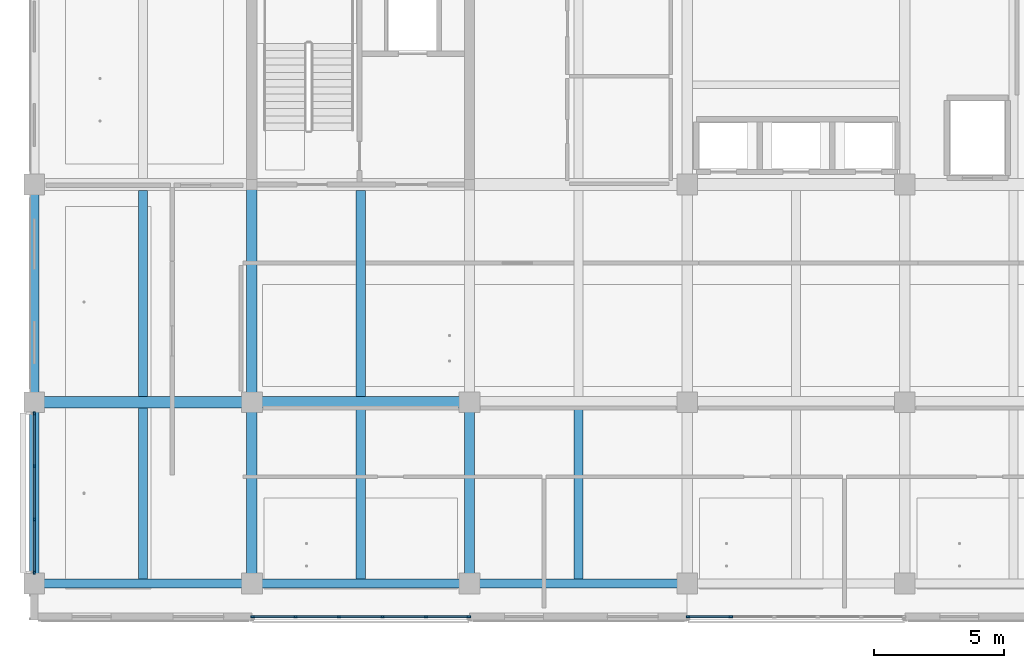
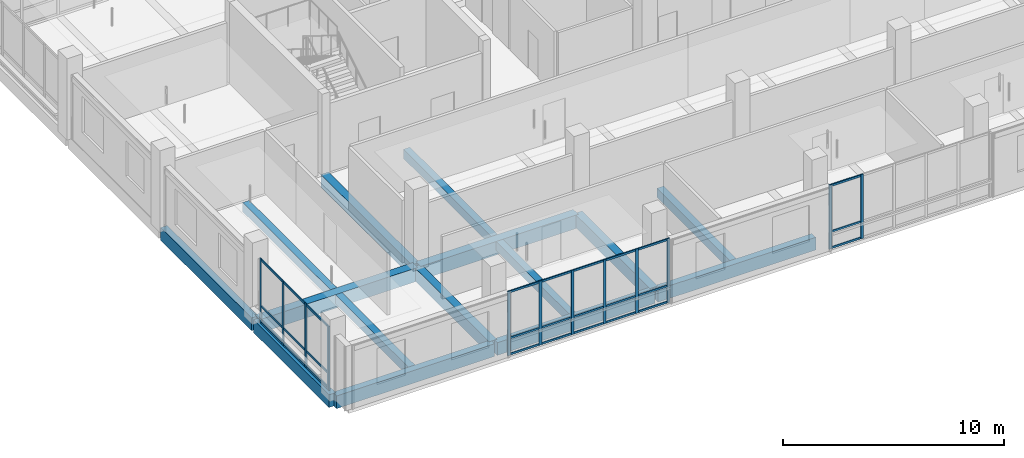
# One storey, part 2 of 34: 39 members, 15 beams, 3 elements without a shape of their own.
"""IFC4 building model written with IfcOpenShell, lengths in metres."""

from ifc_helpers import new_model, si_unit, direction, frame, origin, origin_2d, place, context, subcontext, project, spatial, rectangle, extrude, material, layer, layer_set, material_profile, profile_set, type_object, element, aggregate, save


model = new_model("IFC4")

# Units and contexts
model_context = context("Model", 3, precision=1e-05, world=origin(), true_north=direction((0.0, 1.0)))
body_context = subcontext(model_context, "Body", "Model", "MODEL_VIEW")
ifc_project = project(units=[si_unit("LENGTHUNIT", "METRE"), si_unit("AREAUNIT", "SQUARE_METRE"), si_unit("VOLUMEUNIT", "CUBIC_METRE"), si_unit("PLANEANGLEUNIT", "RADIAN"), si_unit("MASSUNIT", "GRAM", prefix="KILO")], contexts=[model_context])

# Site, building, storey
site_placement = place(None, origin())
site = spatial("IfcSite", under=ifc_project, at=site_placement, CompositionType="ELEMENT")
building_placement = place(site_placement, origin())
building = spatial("IfcBuilding", under=site, at=building_placement, Name="Telukmera Botanical Conservatory", CompositionType="ELEMENT")
storey_placement = place(building_placement, frame((0.0, 0.0, 37.5)))
storey = spatial("IfcBuildingStorey", under=building, at=storey_placement, Name="L08", CompositionType="ELEMENT", Elevation=37.5)

# Beams
ifc_material_1 = material(Name="Concrete C40/50", Category="concrete")
ifc_material_profile_1 = material_profile(ifc_material_1, rectangle(XDim=0.35009765625, YDim=0.5, at=origin_2d()), Name="RC 350x500")
ifc_profile_set_1 = profile_set([ifc_material_profile_1], Name="Concrete C40/50")
beam_type_1 = type_object("IfcBeamType", Name="Beam_B22", PredefinedType="JOIST", material=ifc_profile_set_1)
beam_1_placement = place(storey_placement, frame((54.60009765625, 10.77490234375, -0.25), z_axis=(0.0, 1.0, 0.0), x_axis=(-1.0, 0.0, 0.0)))
element("IfcBeam", 1, at=beam_1_placement, inside=storey, type_object=beam_type_1, Name="Tower Secondary Floor Joist L08", PredefinedType="JOIST", context=body_context, shape_type="SweptSolid", body=[
    extrude(rectangle(XDim=0.35009765625, YDim=0.5, at=origin_2d()), origin(), (0.0, 0.0, 1.0), 6.60009765625),
])
beam_2_placement = place(storey_placement, frame((54.60009765625, 17.824951171875, -0.25), z_axis=(0.0, 1.0, 0.0), x_axis=(-1.0, 0.0, 0.0)))
element("IfcBeam", 2, at=beam_2_placement, inside=storey, type_object=beam_type_1, Name="Tower Secondary Floor Joist L08", PredefinedType="JOIST", context=body_context, shape_type="SweptSolid", body=[
    extrude(rectangle(XDim=0.35009765625, YDim=0.5, at=origin_2d()), origin(), (0.0, 0.0, 1.0), 7.949951171875),
])
beam_3_placement = place(storey_placement, frame((63.0, 10.77490234375, -0.25), z_axis=(0.0, 1.0, 0.0), x_axis=(-1.0, 0.0, 0.0)))
element("IfcBeam", 3, at=beam_3_placement, inside=storey, type_object=beam_type_1, Name="Tower Secondary Floor Joist L08", PredefinedType="JOIST", context=body_context, shape_type="SweptSolid", body=[
    extrude(rectangle(XDim=0.35009765625, YDim=0.5, at=origin_2d()), origin(), (0.0, 0.0, 1.0), 6.60009765625),
])
beam_4_placement = place(storey_placement, frame((63.0, 17.824951171875, -0.25), z_axis=(0.0, 1.0, 0.0), x_axis=(-1.0, 0.0, 0.0)))
element("IfcBeam", 4, at=beam_4_placement, inside=storey, type_object=beam_type_1, Name="Tower Secondary Floor Joist L08", PredefinedType="JOIST", context=body_context, shape_type="SweptSolid", body=[
    extrude(rectangle(XDim=0.35009765625, YDim=0.5, at=origin_2d()), origin(), (0.0, 0.0, 1.0), 7.949951171875),
])
beam_5_placement = place(storey_placement, frame((71.39990234375, 10.77490234375, -0.25), z_axis=(0.0, 1.0, 0.0), x_axis=(-1.0, 0.0, 0.0)))
element("IfcBeam", 5, at=beam_5_placement, inside=storey, type_object=beam_type_1, Name="Tower Secondary Floor Joist L08", PredefinedType="JOIST", context=body_context, shape_type="SweptSolid", body=[
    extrude(rectangle(XDim=0.35009765625, YDim=0.5, at=origin_2d()), origin(), (0.0, 0.0, 1.0), 6.60009765625),
])
ifc_material_profile_2 = material_profile(ifc_material_1, rectangle(XDim=0.449951171875, YDim=0.75, at=origin_2d()), Name="RC 450x750")
ifc_profile_set_2 = profile_set([ifc_material_profile_2], Name="Concrete C40/50")
beam_type_2 = type_object("IfcBeamType", Name="Beam_B6", PredefinedType="BEAM", material=ifc_profile_set_2)
beam_6_placement = place(storey_placement, frame((50.47998046875, 17.60009765625, -0.375), z_axis=(1.0, 0.0, 0.0), x_axis=(0.0, 1.0, 0.0)))
element("IfcBeam", 6, at=beam_6_placement, inside=storey, type_object=beam_type_2, Name="Tower Grid Beam L08", PredefinedType="BEAM", context=body_context, shape_type="SweptSolid", body=[
    extrude(rectangle(XDim=0.449951171875, YDim=0.75, at=origin_2d()), origin(), (0.0, 0.0, 1.0), 8.239990234375),
])
beam_7_placement = place(storey_placement, frame((58.8798828125, 17.60009765625, -0.375), z_axis=(1.0, 0.0, 0.0), x_axis=(0.0, 1.0, 0.0)))
element("IfcBeam", 7, at=beam_7_placement, inside=storey, type_object=beam_type_2, Name="Tower Grid Beam L08", PredefinedType="BEAM", context=body_context, shape_type="SweptSolid", body=[
    extrude(rectangle(XDim=0.449951171875, YDim=0.75, at=origin_2d()), origin(), (0.0, 0.0, 1.0), 8.240234375),
])
ifc_material_profile_3 = material_profile(ifc_material_1, rectangle(XDim=0.39990234375, YDim=0.699951171875, at=origin_2d()), Name="RC 400x700")
ifc_profile_set_3 = profile_set([ifc_material_profile_3], Name="Concrete C40/50")
beam_type_3 = type_object("IfcBeamType", Name="Beam_B7", PredefinedType="BEAM", material=ifc_profile_set_3)
beam_8_placement = place(storey_placement, frame((58.800048828125, 10.679931640625, -0.35009765625), z_axis=(0.0, 1.0, 0.0), x_axis=(-1.0, 0.0, 0.0)))
element("IfcBeam", 8, at=beam_8_placement, inside=storey, type_object=beam_type_3, Name="Tower Transverse Beam L08", PredefinedType="BEAM", context=body_context, shape_type="SweptSolid", body=[
    extrude(rectangle(XDim=0.39990234375, YDim=0.699951171875, at=origin_2d()), origin(), (0.0, 0.0, 1.0), 6.840087890625),
])
beam_9_placement = place(storey_placement, frame((58.800048828125, 17.679931640625, -0.35009765625), z_axis=(0.0, 1.0, 0.0), x_axis=(-1.0, 0.0, 0.0)))
element("IfcBeam", 9, at=beam_9_placement, inside=storey, type_object=beam_type_3, Name="Tower Transverse Beam L08", PredefinedType="BEAM", context=body_context, shape_type="SweptSolid", body=[
    extrude(rectangle(XDim=0.39990234375, YDim=0.699951171875, at=origin_2d()), origin(), (0.0, 0.0, 1.0), 8.239990234375),
])
beam_10_placement = place(storey_placement, frame((67.199951171875, 10.679931640625, -0.35009765625), z_axis=(0.0, 1.0, 0.0), x_axis=(-1.0, 0.0, 0.0)))
element("IfcBeam", 10, at=beam_10_placement, inside=storey, type_object=beam_type_3, Name="Tower Transverse Beam L08", PredefinedType="BEAM", context=body_context, shape_type="SweptSolid", body=[
    extrude(rectangle(XDim=0.39990234375, YDim=0.699951171875, at=origin_2d()), origin(), (0.0, 0.0, 1.0), 6.840087890625),
])
ifc_material_2 = material(Name="Precast concrete C40/50", Category="concrete")
ifc_material_profile_4 = material_profile(ifc_material_2, rectangle(XDim=0.35009765625, YDim=0.699951171875, at=origin_2d()), Name="PC 350x700")
ifc_profile_set_4 = profile_set([ifc_material_profile_4], Name="Precast concrete C40/50")
beam_type_4 = type_object("IfcBeamType", Name="Beam_SP2", PredefinedType="SPANDREL", material=ifc_profile_set_4)
beam_11_placement = place(storey_placement, frame((50.47998046875, 10.60009765625, -0.35009765625), z_axis=(1.0, 0.0, 0.0), x_axis=(0.0, 1.0, 0.0)))
element("IfcBeam", 11, at=beam_11_placement, inside=storey, type_object=beam_type_4, Name="Tower Grid Beam L08", PredefinedType="SPANDREL", context=body_context, shape_type="SweptSolid", body=[
    extrude(rectangle(XDim=0.35009765625, YDim=0.699951171875, at=origin_2d()), origin(), (0.0, 0.0, 1.0), 8.239990234375),
])
beam_12_placement = place(storey_placement, frame((58.8798828125, 10.60009765625, -0.35009765625), z_axis=(1.0, 0.0, 0.0), x_axis=(0.0, 1.0, 0.0)))
element("IfcBeam", 12, at=beam_12_placement, inside=storey, type_object=beam_type_4, Name="Tower Grid Beam L08", PredefinedType="SPANDREL", context=body_context, shape_type="SweptSolid", body=[
    extrude(rectangle(XDim=0.35009765625, YDim=0.699951171875, at=origin_2d()), origin(), (0.0, 0.0, 1.0), 8.240234375),
])
beam_13_placement = place(storey_placement, frame((67.280029296875, 10.60009765625, -0.35009765625), z_axis=(1.0, 0.0, 0.0), x_axis=(0.0, 1.0, 0.0)))
element("IfcBeam", 13, at=beam_13_placement, inside=storey, type_object=beam_type_4, Name="Tower Grid Beam L08", PredefinedType="SPANDREL", context=body_context, shape_type="SweptSolid", body=[
    extrude(rectangle(XDim=0.35009765625, YDim=0.699951171875, at=origin_2d()), origin(), (0.0, 0.0, 1.0), 8.239990234375),
])
beam_14_placement = place(storey_placement, frame((50.39990234375, 10.679931640625, -0.35009765625), z_axis=(0.0, 1.0, 0.0), x_axis=(-1.0, 0.0, 0.0)))
element("IfcBeam", 14, at=beam_14_placement, inside=storey, type_object=beam_type_4, Name="Tower Transverse Beam L08", PredefinedType="SPANDREL", context=body_context, shape_type="SweptSolid", body=[
    extrude(rectangle(XDim=0.35009765625, YDim=0.699951171875, at=origin_2d()), origin(), (0.0, 0.0, 1.0), 6.840087890625),
])
beam_15_placement = place(storey_placement, frame((50.39990234375, 17.679931640625, -0.35009765625), z_axis=(0.0, 1.0, 0.0), x_axis=(-1.0, 0.0, 0.0)))
element("IfcBeam", 15, at=beam_15_placement, inside=storey, type_object=beam_type_4, Name="Tower Transverse Beam L08", PredefinedType="SPANDREL", context=body_context, shape_type="SweptSolid", body=[
    extrude(rectangle(XDim=0.35009765625, YDim=0.699951171875, at=origin_2d()), origin(), (0.0, 0.0, 1.0), 8.239990234375),
])

# Curtain wall, members
ifc_material_3 = material(Name="Anodised aluminium 6063-T6", Category="aluminium")
ifc_layer = layer(ifc_material_3, 0.179931640625)
ifc_layer_set = layer_set([ifc_layer], Name="Anodised aluminium 6063-T6")
curtain_wall_type = type_object("IfcCurtainWallType", Name="Tower Research Laboratory Unitised Curtain Wall", PredefinedType="USERDEFINED", material=ifc_layer_set)
curtain_wall_1_placement = place(storey_placement, origin())
curtain_wall_1 = element("IfcCurtainWall", 16, at=curtain_wall_1_placement, inside=storey, type_object=curtain_wall_type, Name="Unitised Curtain Wall CW15 V4:L08:S2", ObjectType="UNITISED CURTAIN WALL", PredefinedType="USERDEFINED")
ifc_material_profile_5 = material_profile(ifc_material_3, rectangle(XDim=0.06005859375, YDim=0.139892578125, at=origin_2d()), Name="ALU MULL 60x140")
ifc_profile_set_5 = profile_set([ifc_material_profile_5], Name="Anodised aluminium 6063-T6")
member_type_1 = type_object("IfcMemberType", Name="Curtain Wall Extruded Mullion 60x140", PredefinedType="MULLION", material=ifc_profile_set_5)
member_1_placement = place(storey_placement, frame((58.83203125, 9.320068359375, 0.0), z_axis=(0.0, 0.0, 1.0), x_axis=(0.0, 1.0, 0.0)))
member_1 = element("IfcMember", 17, at=member_1_placement, type_object=member_type_1, Name="CW15 mullion 1", PredefinedType="MULLION", context=body_context, shape_type="SweptSolid", body=[
    extrude(rectangle(XDim=0.06005859375, YDim=0.139892578125, at=origin_2d()), origin(), (0.0, 0.0, 1.0), 3.550048828125),
])
member_2_placement = place(storey_placement, frame((60.481201171875, 9.320068359375, 0.0), z_axis=(0.0, 0.0, 1.0), x_axis=(0.0, 1.0, 0.0)))
member_2 = element("IfcMember", 18, at=member_2_placement, type_object=member_type_1, Name="CW15 mullion 2", PredefinedType="MULLION", context=body_context, shape_type="SweptSolid", body=[
    extrude(rectangle(XDim=0.06005859375, YDim=0.139892578125, at=origin_2d()), origin(), (0.0, 0.0, 1.0), 3.550048828125),
])
member_3_placement = place(storey_placement, frame((62.160400390625, 9.320068359375, 0.0), z_axis=(0.0, 0.0, 1.0), x_axis=(0.0, 1.0, 0.0)))
member_3 = element("IfcMember", 19, at=member_3_placement, type_object=member_type_1, Name="CW15 mullion 3", PredefinedType="MULLION", context=body_context, shape_type="SweptSolid", body=[
    extrude(rectangle(XDim=0.06005859375, YDim=0.139892578125, at=origin_2d()), origin(), (0.0, 0.0, 1.0), 3.550048828125),
])
member_4_placement = place(storey_placement, frame((63.839599609375, 9.320068359375, 0.0), z_axis=(0.0, 0.0, 1.0), x_axis=(0.0, 1.0, 0.0)))
member_4 = element("IfcMember", 20, at=member_4_placement, type_object=member_type_1, Name="CW15 mullion 4", PredefinedType="MULLION", context=body_context, shape_type="SweptSolid", body=[
    extrude(rectangle(XDim=0.06005859375, YDim=0.139892578125, at=origin_2d()), origin(), (0.0, 0.0, 1.0), 3.550048828125),
])
member_5_placement = place(storey_placement, frame((65.518798828125, 9.320068359375, 0.0), z_axis=(0.0, 0.0, 1.0), x_axis=(0.0, 1.0, 0.0)))
member_5 = element("IfcMember", 21, at=member_5_placement, type_object=member_type_1, Name="CW15 mullion 5", PredefinedType="MULLION", context=body_context, shape_type="SweptSolid", body=[
    extrude(rectangle(XDim=0.06005859375, YDim=0.139892578125, at=origin_2d()), origin(), (0.0, 0.0, 1.0), 3.550048828125),
])
member_6_placement = place(storey_placement, frame((67.16796875, 9.320068359375, 0.0), z_axis=(0.0, 0.0, 1.0), x_axis=(0.0, 1.0, 0.0)))
member_6 = element("IfcMember", 22, at=member_6_placement, type_object=member_type_1, Name="CW15 mullion 6", PredefinedType="MULLION", context=body_context, shape_type="SweptSolid", body=[
    extrude(rectangle(XDim=0.06005859375, YDim=0.139892578125, at=origin_2d()), origin(), (0.0, 0.0, 1.0), 3.550048828125),
])

curtain_wall_2_placement = place(storey_placement, origin())
curtain_wall_2 = element("IfcCurtainWall", 23, at=curtain_wall_2_placement, inside=storey, type_object=curtain_wall_type, Name="Unitised Curtain Wall CW15 V4:L08:S4", ObjectType="UNITISED CURTAIN WALL", PredefinedType="USERDEFINED")
member_7_placement = place(storey_placement, frame((75.632080078125, 9.320068359375, 0.0), z_axis=(0.0, 0.0, 1.0), x_axis=(0.0, 1.0, 0.0)))
member_7 = element("IfcMember", 24, at=member_7_placement, type_object=member_type_1, Name="CW15 mullion 1", PredefinedType="MULLION", context=body_context, shape_type="SweptSolid", body=[
    extrude(rectangle(XDim=0.06005859375, YDim=0.139892578125, at=origin_2d()), origin(), (0.0, 0.0, 1.0), 3.550048828125),
])
member_8_placement = place(storey_placement, frame((77.28125, 9.320068359375, 0.0), z_axis=(0.0, 0.0, 1.0), x_axis=(0.0, 1.0, 0.0)))
member_8 = element("IfcMember", 25, at=member_8_placement, type_object=member_type_1, Name="CW15 mullion 2", PredefinedType="MULLION", context=body_context, shape_type="SweptSolid", body=[
    extrude(rectangle(XDim=0.06005859375, YDim=0.139892578125, at=origin_2d()), origin(), (0.0, 0.0, 1.0), 3.550048828125),
])

curtain_wall_3_placement = place(storey_placement, origin())
curtain_wall_3 = element("IfcCurtainWall", 26, at=curtain_wall_3_placement, inside=storey, type_object=curtain_wall_type, Name="Unitised Curtain Wall CW15 V4:L08:W1", ObjectType="UNITISED CURTAIN WALL", PredefinedType="USERDEFINED")
member_9_placement = place(storey_placement, frame((50.39990234375, 11.031982421875, 0.0), z_axis=(0.0, 0.0, 1.0), x_axis=(-1.0, 0.0, 0.0)))
member_9 = element("IfcMember", 27, at=member_9_placement, type_object=member_type_1, Name="CW15 mullion 1", PredefinedType="MULLION", context=body_context, shape_type="SweptSolid", body=[
    extrude(rectangle(XDim=0.06005859375, YDim=0.139892578125, at=origin_2d()), origin(), (0.0, 0.0, 1.0), 3.550048828125),
])
member_10_placement = place(storey_placement, frame((50.39990234375, 13.0673828125, 0.0), z_axis=(0.0, 0.0, 1.0), x_axis=(-1.0, 0.0, 0.0)))
member_10 = element("IfcMember", 28, at=member_10_placement, type_object=member_type_1, Name="CW15 mullion 2", PredefinedType="MULLION", context=body_context, shape_type="SweptSolid", body=[
    extrude(rectangle(XDim=0.06005859375, YDim=0.139892578125, at=origin_2d()), origin(), (0.0, 0.0, 1.0), 3.550048828125),
])
member_11_placement = place(storey_placement, frame((50.39990234375, 15.132568359375, 0.0), z_axis=(0.0, 0.0, 1.0), x_axis=(-1.0, 0.0, 0.0)))
member_11 = element("IfcMember", 29, at=member_11_placement, type_object=member_type_1, Name="CW15 mullion 3", PredefinedType="MULLION", context=body_context, shape_type="SweptSolid", body=[
    extrude(rectangle(XDim=0.06005859375, YDim=0.139892578125, at=origin_2d()), origin(), (0.0, 0.0, 1.0), 3.550048828125),
])
member_12_placement = place(storey_placement, frame((50.39990234375, 17.16796875, 0.0), z_axis=(0.0, 0.0, 1.0), x_axis=(-1.0, 0.0, 0.0)))
member_12 = element("IfcMember", 30, at=member_12_placement, type_object=member_type_1, Name="CW15 mullion 4", PredefinedType="MULLION", context=body_context, shape_type="SweptSolid", body=[
    extrude(rectangle(XDim=0.06005859375, YDim=0.139892578125, at=origin_2d()), origin(), (0.0, 0.0, 1.0), 3.550048828125),
])

# Member
ifc_material_profile_6 = material_profile(ifc_material_3, rectangle(XDim=0.06005859375, YDim=0.110107421875, at=origin_2d()), Name="ALU TRAN 60x110")
ifc_profile_set_6 = profile_set([ifc_material_profile_6], Name="Anodised aluminium 6063-T6")
member_type_2 = type_object("IfcMemberType", Name="Curtain Wall Extruded Transom 60x110", PredefinedType="USERDEFINED", material=ifc_profile_set_6)
member_13_placement = place(storey_placement, frame((58.862060546875, 9.320068359375, 0.054931640625), z_axis=(1.0, 0.0, 0.0), x_axis=(0.0, 1.0, 0.0)))
member_13 = element("IfcMember", 31, at=member_13_placement, type_object=member_type_2, Name="CW15 transom 1.1", ObjectType="TRANSOM", PredefinedType="USERDEFINED", context=body_context, shape_type="SweptSolid", body=[
    extrude(rectangle(XDim=0.06005859375, YDim=0.110107421875, at=origin_2d()), origin(), (0.0, 0.0, 1.0), 1.589111328125),
])

member_14_placement = place(storey_placement, frame((58.862060546875, 9.320068359375, 0.949951171875), z_axis=(1.0, 0.0, 0.0), x_axis=(0.0, 1.0, 0.0)))
member_14 = element("IfcMember", 32, at=member_14_placement, type_object=member_type_2, Name="CW15 transom 1.2", ObjectType="TRANSOM", PredefinedType="USERDEFINED", context=body_context, shape_type="SweptSolid", body=[
    extrude(rectangle(XDim=0.06005859375, YDim=0.110107421875, at=origin_2d()), origin(), (0.0, 0.0, 1.0), 1.589111328125),
])

member_15_placement = place(storey_placement, frame((58.862060546875, 9.320068359375, 3.4951171875), z_axis=(1.0, 0.0, 0.0), x_axis=(0.0, 1.0, 0.0)))
member_15 = element("IfcMember", 33, at=member_15_placement, type_object=member_type_2, Name="CW15 transom 1.3", ObjectType="TRANSOM", PredefinedType="USERDEFINED", context=body_context, shape_type="SweptSolid", body=[
    extrude(rectangle(XDim=0.06005859375, YDim=0.110107421875, at=origin_2d()), origin(), (0.0, 0.0, 1.0), 1.589111328125),
])

member_16_placement = place(storey_placement, frame((60.51123046875, 9.320068359375, 0.054931640625), z_axis=(1.0, 0.0, 0.0), x_axis=(0.0, 1.0, 0.0)))
member_16 = element("IfcMember", 34, at=member_16_placement, type_object=member_type_2, Name="CW15 transom 2.1", ObjectType="TRANSOM", PredefinedType="USERDEFINED", context=body_context, shape_type="SweptSolid", body=[
    extrude(rectangle(XDim=0.06005859375, YDim=0.110107421875, at=origin_2d()), origin(), (0.0, 0.0, 1.0), 1.619140625),
])

member_17_placement = place(storey_placement, frame((60.51123046875, 9.320068359375, 0.949951171875), z_axis=(1.0, 0.0, 0.0), x_axis=(0.0, 1.0, 0.0)))
member_17 = element("IfcMember", 35, at=member_17_placement, type_object=member_type_2, Name="CW15 transom 2.2", ObjectType="TRANSOM", PredefinedType="USERDEFINED", context=body_context, shape_type="SweptSolid", body=[
    extrude(rectangle(XDim=0.06005859375, YDim=0.110107421875, at=origin_2d()), origin(), (0.0, 0.0, 1.0), 1.619140625),
])

member_18_placement = place(storey_placement, frame((60.51123046875, 9.320068359375, 3.4951171875), z_axis=(1.0, 0.0, 0.0), x_axis=(0.0, 1.0, 0.0)))
member_18 = element("IfcMember", 36, at=member_18_placement, type_object=member_type_2, Name="CW15 transom 2.3", ObjectType="TRANSOM", PredefinedType="USERDEFINED", context=body_context, shape_type="SweptSolid", body=[
    extrude(rectangle(XDim=0.06005859375, YDim=0.110107421875, at=origin_2d()), origin(), (0.0, 0.0, 1.0), 1.619140625),
])

member_19_placement = place(storey_placement, frame((62.1904296875, 9.320068359375, 0.054931640625), z_axis=(1.0, 0.0, 0.0), x_axis=(0.0, 1.0, 0.0)))
member_19 = element("IfcMember", 37, at=member_19_placement, type_object=member_type_2, Name="CW15 transom 3.1", ObjectType="TRANSOM", PredefinedType="USERDEFINED", context=body_context, shape_type="SweptSolid", body=[
    extrude(rectangle(XDim=0.06005859375, YDim=0.110107421875, at=origin_2d()), origin(), (0.0, 0.0, 1.0), 1.619140625),
])

member_20_placement = place(storey_placement, frame((62.1904296875, 9.320068359375, 0.949951171875), z_axis=(1.0, 0.0, 0.0), x_axis=(0.0, 1.0, 0.0)))
member_20 = element("IfcMember", 38, at=member_20_placement, type_object=member_type_2, Name="CW15 transom 3.2", ObjectType="TRANSOM", PredefinedType="USERDEFINED", context=body_context, shape_type="SweptSolid", body=[
    extrude(rectangle(XDim=0.06005859375, YDim=0.110107421875, at=origin_2d()), origin(), (0.0, 0.0, 1.0), 1.619140625),
])

member_21_placement = place(storey_placement, frame((62.1904296875, 9.320068359375, 3.4951171875), z_axis=(1.0, 0.0, 0.0), x_axis=(0.0, 1.0, 0.0)))
member_21 = element("IfcMember", 39, at=member_21_placement, type_object=member_type_2, Name="CW15 transom 3.3", ObjectType="TRANSOM", PredefinedType="USERDEFINED", context=body_context, shape_type="SweptSolid", body=[
    extrude(rectangle(XDim=0.06005859375, YDim=0.110107421875, at=origin_2d()), origin(), (0.0, 0.0, 1.0), 1.619140625),
])

member_22_placement = place(storey_placement, frame((63.86962890625, 9.320068359375, 0.054931640625), z_axis=(1.0, 0.0, 0.0), x_axis=(0.0, 1.0, 0.0)))
member_22 = element("IfcMember", 40, at=member_22_placement, type_object=member_type_2, Name="CW15 transom 4.1", ObjectType="TRANSOM", PredefinedType="USERDEFINED", context=body_context, shape_type="SweptSolid", body=[
    extrude(rectangle(XDim=0.06005859375, YDim=0.110107421875, at=origin_2d()), origin(), (0.0, 0.0, 1.0), 1.619140625),
])

member_23_placement = place(storey_placement, frame((63.86962890625, 9.320068359375, 0.949951171875), z_axis=(1.0, 0.0, 0.0), x_axis=(0.0, 1.0, 0.0)))
member_23 = element("IfcMember", 41, at=member_23_placement, type_object=member_type_2, Name="CW15 transom 4.2", ObjectType="TRANSOM", PredefinedType="USERDEFINED", context=body_context, shape_type="SweptSolid", body=[
    extrude(rectangle(XDim=0.06005859375, YDim=0.110107421875, at=origin_2d()), origin(), (0.0, 0.0, 1.0), 1.619140625),
])

member_24_placement = place(storey_placement, frame((63.86962890625, 9.320068359375, 3.4951171875), z_axis=(1.0, 0.0, 0.0), x_axis=(0.0, 1.0, 0.0)))
member_24 = element("IfcMember", 42, at=member_24_placement, type_object=member_type_2, Name="CW15 transom 4.3", ObjectType="TRANSOM", PredefinedType="USERDEFINED", context=body_context, shape_type="SweptSolid", body=[
    extrude(rectangle(XDim=0.06005859375, YDim=0.110107421875, at=origin_2d()), origin(), (0.0, 0.0, 1.0), 1.619140625),
])

member_25_placement = place(storey_placement, frame((65.548828125, 9.320068359375, 0.054931640625), z_axis=(1.0, 0.0, 0.0), x_axis=(0.0, 1.0, 0.0)))
member_25 = element("IfcMember", 43, at=member_25_placement, type_object=member_type_2, Name="CW15 transom 5.1", ObjectType="TRANSOM", PredefinedType="USERDEFINED", context=body_context, shape_type="SweptSolid", body=[
    extrude(rectangle(XDim=0.06005859375, YDim=0.110107421875, at=origin_2d()), origin(), (0.0, 0.0, 1.0), 1.589111328125),
])

member_26_placement = place(storey_placement, frame((65.548828125, 9.320068359375, 0.949951171875), z_axis=(1.0, 0.0, 0.0), x_axis=(0.0, 1.0, 0.0)))
member_26 = element("IfcMember", 44, at=member_26_placement, type_object=member_type_2, Name="CW15 transom 5.2", ObjectType="TRANSOM", PredefinedType="USERDEFINED", context=body_context, shape_type="SweptSolid", body=[
    extrude(rectangle(XDim=0.06005859375, YDim=0.110107421875, at=origin_2d()), origin(), (0.0, 0.0, 1.0), 1.589111328125),
])

member_27_placement = place(storey_placement, frame((65.548828125, 9.320068359375, 3.4951171875), z_axis=(1.0, 0.0, 0.0), x_axis=(0.0, 1.0, 0.0)))
member_27 = element("IfcMember", 45, at=member_27_placement, type_object=member_type_2, Name="CW15 transom 5.3", ObjectType="TRANSOM", PredefinedType="USERDEFINED", context=body_context, shape_type="SweptSolid", body=[
    extrude(rectangle(XDim=0.06005859375, YDim=0.110107421875, at=origin_2d()), origin(), (0.0, 0.0, 1.0), 1.589111328125),
])

aggregate(curtain_wall_1, [member_1, member_2, member_3, member_4, member_5, member_6, member_13, member_14, member_15, member_16, member_17, member_18, member_19, member_20, member_21, member_22, member_23, member_24, member_25, member_26, member_27])

member_28_placement = place(storey_placement, frame((75.662109375, 9.320068359375, 0.054931640625), z_axis=(1.0, 0.0, 0.0), x_axis=(0.0, 1.0, 0.0)))
member_28 = element("IfcMember", 46, at=member_28_placement, type_object=member_type_2, Name="CW15 transom 1.1", ObjectType="TRANSOM", PredefinedType="USERDEFINED", context=body_context, shape_type="SweptSolid", body=[
    extrude(rectangle(XDim=0.06005859375, YDim=0.110107421875, at=origin_2d()), origin(), (0.0, 0.0, 1.0), 1.589111328125),
])

member_29_placement = place(storey_placement, frame((75.662109375, 9.320068359375, 0.949951171875), z_axis=(1.0, 0.0, 0.0), x_axis=(0.0, 1.0, 0.0)))
member_29 = element("IfcMember", 47, at=member_29_placement, type_object=member_type_2, Name="CW15 transom 1.2", ObjectType="TRANSOM", PredefinedType="USERDEFINED", context=body_context, shape_type="SweptSolid", body=[
    extrude(rectangle(XDim=0.06005859375, YDim=0.110107421875, at=origin_2d()), origin(), (0.0, 0.0, 1.0), 1.589111328125),
])

member_30_placement = place(storey_placement, frame((75.662109375, 9.320068359375, 3.4951171875), z_axis=(1.0, 0.0, 0.0), x_axis=(0.0, 1.0, 0.0)))
member_30 = element("IfcMember", 48, at=member_30_placement, type_object=member_type_2, Name="CW15 transom 1.3", ObjectType="TRANSOM", PredefinedType="USERDEFINED", context=body_context, shape_type="SweptSolid", body=[
    extrude(rectangle(XDim=0.06005859375, YDim=0.110107421875, at=origin_2d()), origin(), (0.0, 0.0, 1.0), 1.589111328125),
])

aggregate(curtain_wall_2, [member_7, member_8, member_28, member_29, member_30])

member_31_placement = place(storey_placement, frame((50.39990234375, 11.06201171875, 0.054931640625), z_axis=(0.0, 1.0, 0.0), x_axis=(-1.0, 0.0, 0.0)))
member_31 = element("IfcMember", 49, at=member_31_placement, type_object=member_type_2, Name="CW15 transom 1.1", ObjectType="TRANSOM", PredefinedType="USERDEFINED", context=body_context, shape_type="SweptSolid", body=[
    extrude(rectangle(XDim=0.06005859375, YDim=0.110107421875, at=origin_2d()), origin(), (0.0, 0.0, 1.0), 1.975341796875),
])

member_32_placement = place(storey_placement, frame((50.39990234375, 11.06201171875, 0.949951171875), z_axis=(0.0, 1.0, 0.0), x_axis=(-1.0, 0.0, 0.0)))
member_32 = element("IfcMember", 50, at=member_32_placement, type_object=member_type_2, Name="CW15 transom 1.2", ObjectType="TRANSOM", PredefinedType="USERDEFINED", context=body_context, shape_type="SweptSolid", body=[
    extrude(rectangle(XDim=0.06005859375, YDim=0.110107421875, at=origin_2d()), origin(), (0.0, 0.0, 1.0), 1.975341796875),
])

member_33_placement = place(storey_placement, frame((50.39990234375, 11.06201171875, 3.4951171875), z_axis=(0.0, 1.0, 0.0), x_axis=(-1.0, 0.0, 0.0)))
member_33 = element("IfcMember", 51, at=member_33_placement, type_object=member_type_2, Name="CW15 transom 1.3", ObjectType="TRANSOM", PredefinedType="USERDEFINED", context=body_context, shape_type="SweptSolid", body=[
    extrude(rectangle(XDim=0.06005859375, YDim=0.110107421875, at=origin_2d()), origin(), (0.0, 0.0, 1.0), 1.975341796875),
])

member_34_placement = place(storey_placement, frame((50.39990234375, 13.097412109375, 0.054931640625), z_axis=(0.0, 1.0, 0.0), x_axis=(-1.0, 0.0, 0.0)))
member_34 = element("IfcMember", 52, at=member_34_placement, type_object=member_type_2, Name="CW15 transom 2.1", ObjectType="TRANSOM", PredefinedType="USERDEFINED", context=body_context, shape_type="SweptSolid", body=[
    extrude(rectangle(XDim=0.06005859375, YDim=0.110107421875, at=origin_2d()), origin(), (0.0, 0.0, 1.0), 2.00537109375),
])

member_35_placement = place(storey_placement, frame((50.39990234375, 13.097412109375, 0.949951171875), z_axis=(0.0, 1.0, 0.0), x_axis=(-1.0, 0.0, 0.0)))
member_35 = element("IfcMember", 53, at=member_35_placement, type_object=member_type_2, Name="CW15 transom 2.2", ObjectType="TRANSOM", PredefinedType="USERDEFINED", context=body_context, shape_type="SweptSolid", body=[
    extrude(rectangle(XDim=0.06005859375, YDim=0.110107421875, at=origin_2d()), origin(), (0.0, 0.0, 1.0), 2.00537109375),
])

member_36_placement = place(storey_placement, frame((50.39990234375, 13.097412109375, 3.4951171875), z_axis=(0.0, 1.0, 0.0), x_axis=(-1.0, 0.0, 0.0)))
member_36 = element("IfcMember", 54, at=member_36_placement, type_object=member_type_2, Name="CW15 transom 2.3", ObjectType="TRANSOM", PredefinedType="USERDEFINED", context=body_context, shape_type="SweptSolid", body=[
    extrude(rectangle(XDim=0.06005859375, YDim=0.110107421875, at=origin_2d()), origin(), (0.0, 0.0, 1.0), 2.00537109375),
])

member_37_placement = place(storey_placement, frame((50.39990234375, 15.16259765625, 0.054931640625), z_axis=(0.0, 1.0, 0.0), x_axis=(-1.0, 0.0, 0.0)))
member_37 = element("IfcMember", 55, at=member_37_placement, type_object=member_type_2, Name="CW15 transom 3.1", ObjectType="TRANSOM", PredefinedType="USERDEFINED", context=body_context, shape_type="SweptSolid", body=[
    extrude(rectangle(XDim=0.06005859375, YDim=0.110107421875, at=origin_2d()), origin(), (0.0, 0.0, 1.0), 1.975341796875),
])

member_38_placement = place(storey_placement, frame((50.39990234375, 15.16259765625, 0.949951171875), z_axis=(0.0, 1.0, 0.0), x_axis=(-1.0, 0.0, 0.0)))
member_38 = element("IfcMember", 56, at=member_38_placement, type_object=member_type_2, Name="CW15 transom 3.2", ObjectType="TRANSOM", PredefinedType="USERDEFINED", context=body_context, shape_type="SweptSolid", body=[
    extrude(rectangle(XDim=0.06005859375, YDim=0.110107421875, at=origin_2d()), origin(), (0.0, 0.0, 1.0), 1.975341796875),
])

member_39_placement = place(storey_placement, frame((50.39990234375, 15.16259765625, 3.4951171875), z_axis=(0.0, 1.0, 0.0), x_axis=(-1.0, 0.0, 0.0)))
member_39 = element("IfcMember", 57, at=member_39_placement, type_object=member_type_2, Name="CW15 transom 3.3", ObjectType="TRANSOM", PredefinedType="USERDEFINED", context=body_context, shape_type="SweptSolid", body=[
    extrude(rectangle(XDim=0.06005859375, YDim=0.110107421875, at=origin_2d()), origin(), (0.0, 0.0, 1.0), 1.975341796875),
])

aggregate(curtain_wall_3, [member_9, member_10, member_11, member_12, member_31, member_32, member_33, member_34, member_35, member_36, member_37, member_38, member_39])

save(model, "model.ifc")
